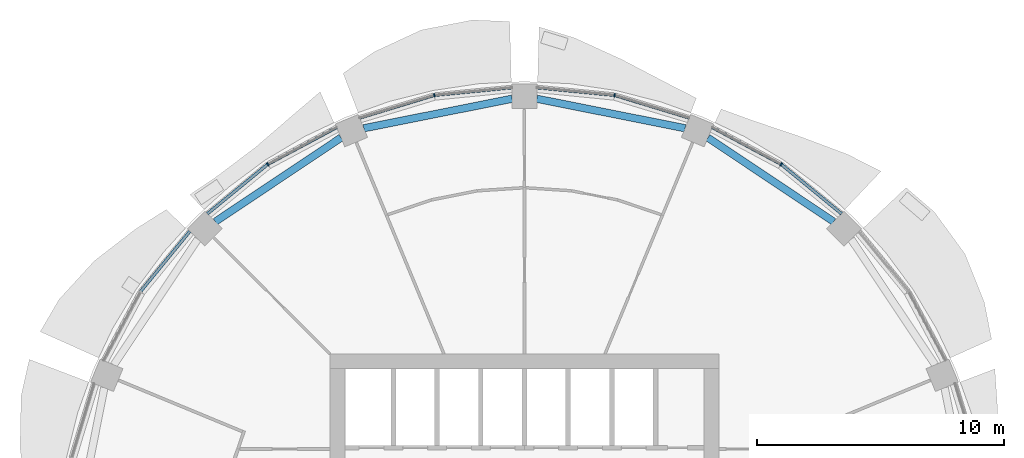
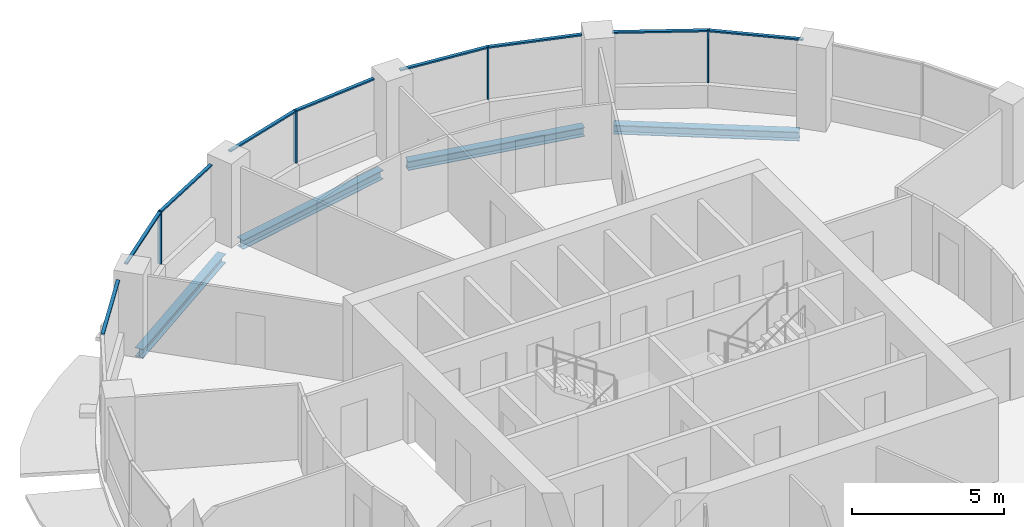
# One storey, part 6 of 14: 13 members, 4 beams, 5 elements without a shape of their own.
"""IFC4 building model written with IfcOpenShell, lengths in metres."""

import ifcopenshell
import ifcopenshell.guid

model = None  # the IFC model being written
_history = None  # IfcOwnerHistory: only IFC2X3 demands one
_inside = {}  # id of a spatial element -> (the spatial element, [elements in it])
_under = {}  # id of a project, library or spatial element -> (it, [spatial elements below it])
_declared = {}  # id of a project -> (the project, [libraries it declares])
_typed = {}  # id of a type object -> (the type object, [elements of that type])
_made_of = {}  # id of a material, layer set ... -> (it, [elements and type objects made of it])


def new_model(schema):
    """Start an empty IFC model of exactly this schema.

    Asked for "IFC4X3", IfcOpenShell would pick the latest addendum, in which some entities
    have other attributes; the version numbers below select the first issue.
    IFC2X3 requires an IfcOwnerHistory on every rooted entity: one is made here for all.
    """
    global model, _history
    if schema == "IFC4X3":
        model = ifcopenshell.file(schema_version=(4, 3, 0, 0))
    else:
        model = ifcopenshell.file(schema=schema)
    _inside.clear()
    _under.clear()
    _declared.clear()
    _typed.clear()
    _made_of.clear()
    _history = None
    if model.schema == "IFC2X3":
        org = make("IfcOrganization", Name="unknown")
        user = make(
            "IfcPersonAndOrganization",
            ThePerson=make("IfcPerson", FamilyName="unknown"),
            TheOrganization=org,
        )
        app = make(
            "IfcApplication",
            ApplicationDeveloper=org,
            Version="unknown",
            ApplicationFullName="unknown",
            ApplicationIdentifier="unknown",
        )
        _history = make(
            "IfcOwnerHistory",
            OwningUser=user,
            OwningApplication=app,
            ChangeAction="ADDED",
            CreationDate=0,
        )
    return model


def make(cls, **values):
    """One entity of the class cls with the attributes given. An attribute that is None is left unset."""
    return model.create_entity(
        cls, **{name: value for name, value in values.items() if value is not None}
    )


def rooted(cls, **values):
    """An entity with a GlobalId (a new one), such as an element, a storey or a relation."""
    return make(cls, GlobalId=ifcopenshell.guid.new(), OwnerHistory=_history, **values)


def si_unit(unit_type, name, prefix=None):
    """IfcSIUnit, for example si_unit("LENGTHUNIT", "METRE", prefix="MILLI")."""
    return make("IfcSIUnit", UnitType=unit_type, Prefix=prefix, Name=name)


def assignment(units):
    """IfcUnitAssignment: the units of a project."""
    return None if units is None else make("IfcUnitAssignment", Units=units)


def point(xyz):
    """IfcCartesianPoint."""
    return None if xyz is None else make("IfcCartesianPoint", Coordinates=xyz)


def direction(xyz):
    """IfcDirection."""
    return None if xyz is None else make("IfcDirection", DirectionRatios=xyz)


def frame(location, z_axis=None, x_axis=None):
    """IfcAxis2Placement3D, a coordinate frame: its origin and axes. An axis left out is left unset."""
    return make(
        "IfcAxis2Placement3D",
        Location=point(location),
        Axis=direction(z_axis),
        RefDirection=direction(x_axis),
    )


def frame_2d(location, x_axis=None):
    """IfcAxis2Placement2D, a coordinate frame in the plane: its origin and x axis."""
    return make(
        "IfcAxis2Placement2D", Location=point(location), RefDirection=direction(x_axis)
    )


def origin():
    """The frame at (0, 0, 0) with its axes left unset."""
    return frame((0.0, 0.0, 0.0))


def origin_2d():
    """The frame at (0, 0) in the plane with its x axis left unset."""
    return frame_2d((0.0, 0.0))


def place(relative_to, where):
    """IfcLocalPlacement: puts the frame where relative to a parent placement (None: the world)."""
    return make(
        "IfcLocalPlacement", PlacementRelTo=relative_to, RelativePlacement=where
    )


def context(
    kind, dimensions, precision=None, world=None, true_north=None, identifier=None
):
    """IfcGeometricRepresentationContext, for example the 3D "Model" context."""
    return make(
        "IfcGeometricRepresentationContext",
        ContextIdentifier=identifier,
        ContextType=kind,
        CoordinateSpaceDimension=dimensions,
        Precision=precision,
        WorldCoordinateSystem=world,
        TrueNorth=true_north,
    )


def subcontext(parent, identifier, kind, view, scale=None):
    """IfcGeometricRepresentationSubContext, for example "Body" below "Model"."""
    return make(
        "IfcGeometricRepresentationSubContext",
        ContextIdentifier=identifier,
        ContextType=kind,
        ParentContext=parent,
        TargetScale=scale,
        TargetView=view,
    )


def project(units=None, contexts=None):
    """IfcProject with its units and contexts."""
    return rooted(
        "IfcProject",
        Name="project",
        RepresentationContexts=contexts,
        UnitsInContext=assignment(units),
    )


def spatial(cls, under=None, at=None, **own):
    """A site, building, storey or space (cls), placed at a placement, below another one or the project."""
    s = rooted(cls, ObjectPlacement=at, **own)
    if under is not None:
        _under.setdefault(under.id(), (under, []))[1].append(s)
    return s


def profile(cls, at=None, kind="AREA", **sizes):
    """A parametric profile (cls). Its sizes go by their IFC names, for example OverallWidth=200.0."""
    return make(cls, ProfileType=kind, Position=at, **sizes)


def rectangle(**sizes):
    """IfcRectangleProfileDef."""
    return profile("IfcRectangleProfileDef", **sizes)


def i_section(**sizes):
    """IfcIShapeProfileDef."""
    return profile("IfcIShapeProfileDef", **sizes)


def extrude(swept, where, along, depth):
    """IfcExtrudedAreaSolid: the profile swept, set in the frame where, extruded along a direction by depth."""
    return make(
        "IfcExtrudedAreaSolid",
        SweptArea=swept,
        Position=where,
        ExtrudedDirection=direction(along),
        Depth=depth,
    )


def shape(context_of_items, identifier, shape_type, items):
    """IfcShapeRepresentation: the items that make up one representation, for example the "Body"."""
    return make(
        "IfcShapeRepresentation",
        ContextOfItems=context_of_items,
        RepresentationIdentifier=identifier,
        RepresentationType=shape_type,
        Items=items,
    )


def material(Name=None, Category=None):
    """IfcMaterial."""
    return make("IfcMaterial", Name=Name, Category=Category)


def material_profile(
    of_material, cross_section, Name=None, Category=None, Priority=None
):
    """IfcMaterialProfile: a cross section and its material."""
    return make(
        "IfcMaterialProfile",
        Name=Name,
        Material=of_material,
        Profile=cross_section,
        Priority=Priority,
        Category=Category,
    )


def profile_set(profiles, Name=None, composite=None):
    """IfcMaterialProfileSet."""
    return make(
        "IfcMaterialProfileSet",
        Name=Name,
        MaterialProfiles=profiles,
        CompositeProfile=composite,
    )


def made_of(thing, what):
    """Note that an element or type object is made of a material, layer set ...; save() writes the relation."""
    if what is not None:
        _made_of.setdefault(what.id(), (what, []))[1].append(thing)
    return thing


def type_object(cls, material=None, **own):
    """A type object (cls), such as IfcWallType, which elements share."""
    return made_of(rooted(cls, **own), material)


def element(
    cls,
    number,
    at=None,
    inside=None,
    cuts=None,
    type_object=None,
    material=None,
    context=None,
    identifier="Body",
    shape_type=None,
    held_by="IfcProductDefinitionShape",
    body=None,
    shapes=None,
    **own,
):
    """One element of the class cls, such as IfcWall. Its Tag is "e" and its number.

    at: its placement. inside: the storey or other place that contains it. cuts: it is an
    opening in that element (IfcRelVoidsElement). A single representation is given by context,
    identifier, shape_type and body (its items); several are given by shapes. held_by: the class
    of the entity that holds the representations. save() writes the other relations.
    """
    e = rooted(cls, Tag="e%d" % number, ObjectPlacement=at, **own)
    if body is not None:
        shapes = [shape(context, identifier, shape_type, body)]
    if shapes is not None:
        e.Representation = make(held_by, Representations=shapes)
    if inside is not None:
        _inside.setdefault(inside.id(), (inside, []))[1].append(e)
    if cuts is not None:
        rooted(
            "IfcRelVoidsElement", RelatingBuildingElement=cuts, RelatedOpeningElement=e
        )
    if type_object is not None:
        _typed.setdefault(type_object.id(), (type_object, []))[1].append(e)
    return made_of(e, material)


def aggregate(whole, parts):
    """IfcRelAggregates: a whole, such as a stair, and the parts it consists of."""
    return rooted("IfcRelAggregates", RelatingObject=whole, RelatedObjects=parts)


def save(model, path):
    """Write the relations noted so far, then the file.

    IfcRelAggregates (storeys below a building ...), IfcRelContainedInSpatialStructure (elements
    in a storey), IfcRelDefinesByType, IfcRelAssociatesMaterial and IfcRelDeclares: one each for
    every whole, place, type object, material and project.
    """
    for whole, parts in _under.values():
        aggregate(whole, parts)
    for where, things in _inside.values():
        rooted(
            "IfcRelContainedInSpatialStructure",
            RelatedElements=things,
            RelatingStructure=where,
        )
    for kind, things in _typed.values():
        rooted("IfcRelDefinesByType", RelatedObjects=things, RelatingType=kind)
    for what, things in _made_of.values():
        rooted("IfcRelAssociatesMaterial", RelatedObjects=things, RelatingMaterial=what)
    for by, libraries in _declared.values():
        rooted("IfcRelDeclares", RelatingContext=by, RelatedDefinitions=libraries)
    model.write(path)


model = new_model("IFC4")

# Units and contexts
model_context = context("Model", 3, precision=1e-05, world=origin(), true_north=direction((0.0, 1.0)))
body_context = subcontext(model_context, "Body", "Model", "MODEL_VIEW")
ifc_project = project(units=[si_unit("LENGTHUNIT", "METRE"), si_unit("AREAUNIT", "SQUARE_METRE"), si_unit("VOLUMEUNIT", "CUBIC_METRE"), si_unit("PLANEANGLEUNIT", "RADIAN"), si_unit("MASSUNIT", "GRAM", prefix="KILO")], contexts=[model_context])

# Site, building, storey
site_placement = place(None, origin())
site = spatial("IfcSite", under=ifc_project, at=site_placement, CompositionType="ELEMENT")
building_placement = place(site_placement, origin())
building = spatial("IfcBuilding", under=site, at=building_placement, Name="Polderwave Tower", CompositionType="ELEMENT")
storey_placement = place(building_placement, frame((0.0, 0.0, 144.39990234375)))
storey = spatial("IfcBuildingStorey", under=building, at=storey_placement, Name="L38", CompositionType="ELEMENT", Elevation=144.39990234375)

# Curtain wall, member
ifc_material_1 = material(Name="Aluminium 6063-T6 and glass", Category="aluminium")
curtain_wall_type = type_object("IfcCurtainWallType", Name="Office ribbon glazing wall", PredefinedType="NOTDEFINED", material=ifc_material_1)
curtain_wall_1_placement = place(storey_placement, origin())
curtain_wall_1 = element("IfcCurtainWall", 1, at=curtain_wall_1_placement, inside=storey, type_object=curtain_wall_type, Name="CW3 L38 02", PredefinedType="NOTDEFINED")
ifc_material_2 = material(Name="Aluminium 6063-T6", Category="aluminium")
ifc_material_profile_1 = material_profile(ifc_material_2, rectangle(XDim=0.139892578125, YDim=0.054931640625, at=origin_2d()), Name="AL 55x140")
ifc_profile_set_1 = profile_set([ifc_material_profile_1], Name="Aluminium 6063-T6")
member_type_1 = type_object("IfcMemberType", Name="Office ribbon glazing mullion 55x140", PredefinedType="MULLION", material=ifc_profile_set_1)
member_1_placement = place(storey_placement, frame((10.388916015625, 15.548095703125, 0.900146484375), z_axis=(0.0, 0.0, 1.0), x_axis=(-0.555512184136, -0.831508396395, 0.0)))
member_1 = element("IfcMember", 2, at=member_1_placement, type_object=member_type_1, Name="CW3 mullion 1", PredefinedType="MULLION", context=body_context, shape_type="SweptSolid", body=[
    extrude(rectangle(XDim=0.139892578125, YDim=0.054931640625, at=origin_2d()), origin(), (0.0, 0.0, 1.0), 2.099853515625),
])

curtain_wall_2_placement = place(storey_placement, origin())
curtain_wall_2 = element("IfcCurtainWall", 3, at=curtain_wall_2_placement, inside=storey, type_object=curtain_wall_type, Name="CW3 L38 03", PredefinedType="NOTDEFINED")
member_2_placement = place(storey_placement, frame((3.64794921875, 18.341064453125, 0.900146484375), z_axis=(0.0, 0.0, 1.0), x_axis=(-0.195196452055, -0.980764163857, 0.0)))
member_2 = element("IfcMember", 4, at=member_2_placement, type_object=member_type_1, Name="CW3 mullion 1", PredefinedType="MULLION", context=body_context, shape_type="SweptSolid", body=[
    extrude(rectangle(XDim=0.139892578125, YDim=0.054931640625, at=origin_2d()), origin(), (0.0, 0.0, 1.0), 2.099853515625),
])

curtain_wall_3_placement = place(storey_placement, origin())
curtain_wall_3 = element("IfcCurtainWall", 5, at=curtain_wall_3_placement, inside=storey, type_object=curtain_wall_type, Name="CW3 L38 04", PredefinedType="NOTDEFINED")
member_3_placement = place(storey_placement, frame((-3.64794921875, 18.341064453125, 0.900146484375), z_axis=(0.0, 0.0, 1.0), x_axis=(0.195196452055, -0.980764163857, 0.0)))
member_3 = element("IfcMember", 6, at=member_3_placement, type_object=member_type_1, Name="CW3 mullion 1", PredefinedType="MULLION", context=body_context, shape_type="SweptSolid", body=[
    extrude(rectangle(XDim=0.139892578125, YDim=0.054931640625, at=origin_2d()), origin(), (0.0, 0.0, 1.0), 2.099853515625),
])

curtain_wall_4_placement = place(storey_placement, origin())
curtain_wall_4 = element("IfcCurtainWall", 7, at=curtain_wall_4_placement, inside=storey, type_object=curtain_wall_type, Name="CW3 L38 05", PredefinedType="NOTDEFINED")
member_4_placement = place(storey_placement, frame((-10.388916015625, 15.548095703125, 0.900146484375), z_axis=(0.0, 0.0, 1.0), x_axis=(0.555512184136, -0.831508396395, 0.0)))
member_4 = element("IfcMember", 8, at=member_4_placement, type_object=member_type_1, Name="CW3 mullion 1", PredefinedType="MULLION", context=body_context, shape_type="SweptSolid", body=[
    extrude(rectangle(XDim=0.139892578125, YDim=0.054931640625, at=origin_2d()), origin(), (0.0, 0.0, 1.0), 2.099853515625),
])

# Member
ifc_material_profile_2 = material_profile(ifc_material_2, rectangle(XDim=0.1201171875, YDim=0.06005859375, at=origin_2d()), Name="AL 60x120")
ifc_profile_set_2 = profile_set([ifc_material_profile_2], Name="Aluminium 6063-T6")
member_type_2 = type_object("IfcMemberType", Name="Office ribbon glazing transom 60x120", PredefinedType="USERDEFINED", material=ifc_profile_set_2)
member_5_placement = place(storey_placement, frame((12.8349609375, 13.5419921875, 2.97021484375), z_axis=(-0.773207470816, 0.634153141657, 0.0), x_axis=(-0.634153141657, -0.773207470816, 0.0)))
member_5 = element("IfcMember", 9, at=member_5_placement, type_object=member_type_2, Name="CW3 transom 1", ObjectType="TRANSOM", PredefinedType="USERDEFINED", context=body_context, shape_type="SweptSolid", body=[
    extrude(rectangle(XDim=0.1201171875, YDim=0.06005859375, at=origin_2d()), origin(), (0.0, 0.0, 1.0), 3.1357421875),
])

member_6_placement = place(storey_placement, frame((10.36474609375, 15.56103515625, 2.97021484375), z_axis=(-0.881822284691, 0.471581867996, 0.0), x_axis=(-0.471581867996, -0.881822284691, 0.0)))
member_6 = element("IfcMember", 10, at=member_6_placement, type_object=member_type_2, Name="CW3 transom 2", ObjectType="TRANSOM", PredefinedType="USERDEFINED", context=body_context, shape_type="SweptSolid", body=[
    extrude(rectangle(XDim=0.1201171875, YDim=0.06005859375, at=origin_2d()), origin(), (0.0, 0.0, 1.0), 3.13623046875),
])

aggregate(curtain_wall_1, [member_1, member_5, member_6])

member_7_placement = place(storey_placement, frame((6.675048828125, 17.422119140625, 2.97021484375), z_axis=(-0.956884827172, 0.290467601512, 0.0), x_axis=(-0.290467601512, -0.956884827172, 0.0)))
member_7 = element("IfcMember", 11, at=member_7_placement, type_object=member_type_2, Name="CW3 transom 1", ObjectType="TRANSOM", PredefinedType="USERDEFINED", context=body_context, shape_type="SweptSolid", body=[
    extrude(rectangle(XDim=0.1201171875, YDim=0.06005859375, at=origin_2d()), origin(), (0.0, 0.0, 1.0), 3.135986328125),
])

member_8_placement = place(storey_placement, frame((3.62060546875, 18.34375, 2.97021484375), z_axis=(-0.995191689442, 0.097946420382, 0.0), x_axis=(-0.097946420382, -0.995191689442, 0.0)))
member_8 = element("IfcMember", 12, at=member_8_placement, type_object=member_type_2, Name="CW3 transom 2", ObjectType="TRANSOM", PredefinedType="USERDEFINED", context=body_context, shape_type="SweptSolid", body=[
    extrude(rectangle(XDim=0.1201171875, YDim=0.06005859375, at=origin_2d()), origin(), (0.0, 0.0, 1.0), 3.1357421875),
])

aggregate(curtain_wall_2, [member_2, member_7, member_8])

member_9_placement = place(storey_placement, frame((-0.5, 18.65087890625, 2.97021484375), z_axis=(-0.995191689442, -0.097946420382, 0.0), x_axis=(0.097946420382, -0.995191689442, 0.0)))
member_9 = element("IfcMember", 13, at=member_9_placement, type_object=member_type_2, Name="CW3 transom 1", ObjectType="TRANSOM", PredefinedType="USERDEFINED", context=body_context, shape_type="SweptSolid", body=[
    extrude(rectangle(XDim=0.1201171875, YDim=0.06005859375, at=origin_2d()), origin(), (0.0, 0.0, 1.0), 3.1357421875),
])

member_10_placement = place(storey_placement, frame((-3.67431640625, 18.3330078125, 2.97021484375), z_axis=(-0.956884827172, -0.290467601512, 0.0), x_axis=(0.290467601512, -0.956884827172, 0.0)))
member_10 = element("IfcMember", 14, at=member_10_placement, type_object=member_type_2, Name="CW3 transom 2", ObjectType="TRANSOM", PredefinedType="USERDEFINED", context=body_context, shape_type="SweptSolid", body=[
    extrude(rectangle(XDim=0.1201171875, YDim=0.06005859375, at=origin_2d()), origin(), (0.0, 0.0, 1.0), 3.135986328125),
])

aggregate(curtain_wall_3, [member_3, member_9, member_10])

member_11_placement = place(storey_placement, frame((-7.59912109375, 17.0400390625, 2.97021484375), z_axis=(-0.881822284691, -0.471581867996, 0.0), x_axis=(0.471581867996, -0.881822284691, 0.0)))
member_11 = element("IfcMember", 15, at=member_11_placement, type_object=member_type_2, Name="CW3 transom 1", ObjectType="TRANSOM", PredefinedType="USERDEFINED", context=body_context, shape_type="SweptSolid", body=[
    extrude(rectangle(XDim=0.1201171875, YDim=0.06005859375, at=origin_2d()), origin(), (0.0, 0.0, 1.0), 3.13623046875),
])

member_12_placement = place(storey_placement, frame((-10.410400390625, 15.530517578125, 2.97021484375), z_axis=(-0.773207470816, -0.634153141657, 0.0), x_axis=(0.634153141657, -0.773207470816, 0.0)))
member_12 = element("IfcMember", 16, at=member_12_placement, type_object=member_type_2, Name="CW3 transom 2", ObjectType="TRANSOM", PredefinedType="USERDEFINED", context=body_context, shape_type="SweptSolid", body=[
    extrude(rectangle(XDim=0.1201171875, YDim=0.06005859375, at=origin_2d()), origin(), (0.0, 0.0, 1.0), 3.1357421875),
])

aggregate(curtain_wall_4, [member_4, member_11, member_12])

# Curtain wall, member
curtain_wall_5_placement = place(storey_placement, origin())
curtain_wall_5 = element("IfcCurtainWall", 17, at=curtain_wall_5_placement, inside=storey, type_object=curtain_wall_type, Name="CW3 L38 06", PredefinedType="NOTDEFINED")
member_13_placement = place(storey_placement, frame((-13.5419921875, 12.8349609375, 2.97021484375), z_axis=(-0.634153141657, -0.773207470816, 0.0), x_axis=(0.773207470816, -0.634153141657, 0.0)))
member_13 = element("IfcMember", 18, at=member_13_placement, type_object=member_type_2, Name="CW3 transom 1", ObjectType="TRANSOM", PredefinedType="USERDEFINED", context=body_context, shape_type="SweptSolid", body=[
    extrude(rectangle(XDim=0.1201171875, YDim=0.06005859375, at=origin_2d()), origin(), (0.0, 0.0, 1.0), 3.1357421875),
])
aggregate(curtain_wall_5, [member_13])

# Beams
ifc_material_3 = material(Name="Steel S355", Category="steel")
ifc_material_profile_3 = material_profile(ifc_material_3, i_section(OverallWidth=0.300048828125, OverallDepth=0.360107421875, WebThickness=0.012451171875, FlangeThickness=0.0224609375, at=origin_2d()), Name="HE 360 B")
ifc_profile_set_3 = profile_set([ifc_material_profile_3], Name="Steel S355")
beam_type = type_object("IfcBeamType", Name="RING BEAM HE 360 B", PredefinedType="BEAM", material=ifc_profile_set_3)
beam_1_placement = place(storey_placement, frame((12.51611328125, 13.223388671875, -0.52978515625), z_axis=(-0.831472997284, 0.555565167003, 0.0), x_axis=(-0.555565167003, -0.831472997284, 0.0)))
element("IfcBeam", 19, at=beam_1_placement, inside=storey, type_object=beam_type, Name="ST-RB-L38-02", PredefinedType="BEAM", context=body_context, shape_type="SweptSolid", body=[
    extrude(i_section(OverallWidth=0.300048828125, OverallDepth=0.360107421875, WebThickness=0.012451171875, FlangeThickness=0.0224609375, at=origin_2d()), origin(), (0.0, 0.0, 1.0), 6.12060546875),
])
for number, where, z_axis, x_axis, name in (
    (20, (6.503173828125, 17.00634765625, -0.52978515625), (-0.980785709335, 0.195088165617, 0.0), (-0.195088165617, -0.980785709335, 0.0), "ST-RB-L38-03"),
    (21, (-0.5, 18.200439453125, -0.52978515625), (-0.980785709335, -0.195088165617, 0.0), (0.195088165617, -0.980785709335, 0.0), "ST-RB-L38-04"),
):
    element("IfcBeam", number, at=place(storey_placement, frame(where, z_axis=z_axis, x_axis=x_axis)), inside=storey, type_object=beam_type, Name=name, PredefinedType="BEAM", context=body_context, shape_type="SweptSolid", body=[
        extrude(i_section(OverallWidth=0.300048828125, OverallDepth=0.360107421875, WebThickness=0.012451171875, FlangeThickness=0.0224609375, at=origin_2d()), origin(), (0.0, 0.0, 1.0), 6.120849609375),
    ])
beam_2_placement = place(storey_placement, frame((-7.427001953125, 16.623779296875, -0.52978515625), z_axis=(-0.831472997284, -0.555565167003, 0.0), x_axis=(0.555565167003, -0.831472997284, 0.0)))
element("IfcBeam", 22, at=beam_2_placement, inside=storey, type_object=beam_type, Name="ST-RB-L38-05", PredefinedType="BEAM", context=body_context, shape_type="SweptSolid", body=[
    extrude(i_section(OverallWidth=0.300048828125, OverallDepth=0.360107421875, WebThickness=0.012451171875, FlangeThickness=0.0224609375, at=origin_2d()), origin(), (0.0, 0.0, 1.0), 6.12060546875),
])

save(model, "model.ifc")
